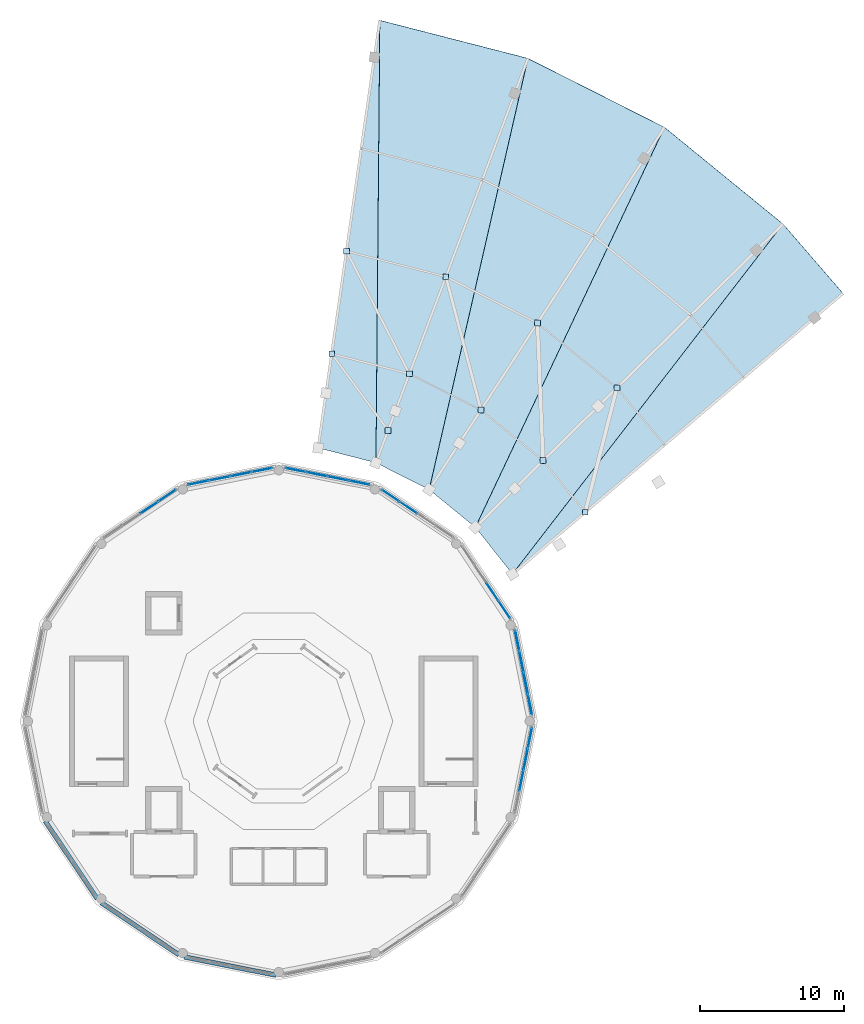
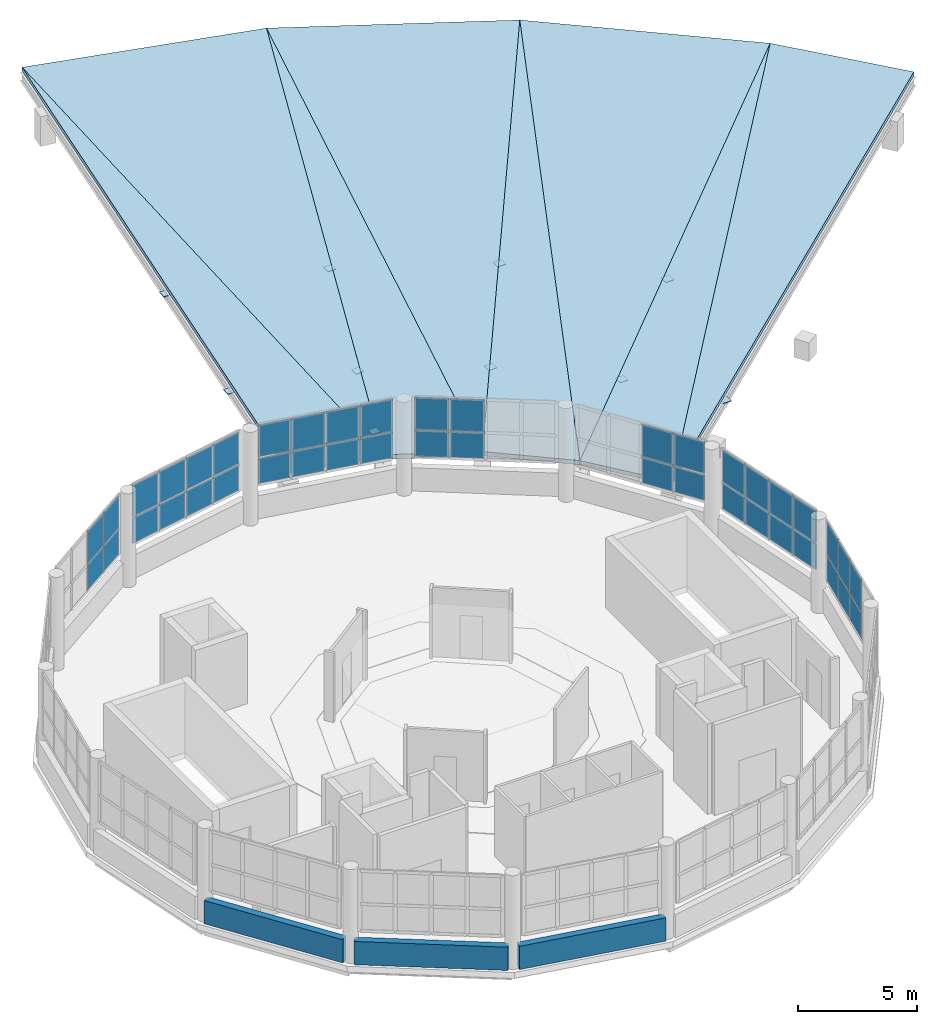
# One storey, part 9 of 12: 52 plates, 8 slabs, 3 walls, 7 elements without a shape of their own.
"""IFC4 building model written with IfcOpenShell, lengths in metres."""

from ifc_helpers import new_model, si_unit, direction, frame, frame_2d, origin, origin_2d, place, context, subcontext, project, spatial, polyline, rectangle, outline, extrude, material, layer, layer_set, type_object, element, aggregate, save


model = new_model("IFC4")

# Units and contexts
model_context = context("Model", 3, precision=1e-05, world=origin(), true_north=direction((0.0, 1.0)))
body_context = subcontext(model_context, "Body", "Model", "MODEL_VIEW")
ifc_project = project(units=[si_unit("LENGTHUNIT", "METRE"), si_unit("AREAUNIT", "SQUARE_METRE"), si_unit("VOLUMEUNIT", "CUBIC_METRE"), si_unit("PLANEANGLEUNIT", "RADIAN"), si_unit("MASSUNIT", "GRAM", prefix="KILO")], contexts=[model_context])

# Site, building, storey
site_placement = place(None, origin())
site = spatial("IfcSite", under=ifc_project, at=site_placement, CompositionType="ELEMENT")
building_placement = place(site_placement, origin())
building = spatial("IfcBuilding", under=site, at=building_placement, Name="Soyqirgoq Riverine Aquarium", CompositionType="ELEMENT")
storey_placement = place(building_placement, frame((0.0, 0.0, 24.60009765625)))
storey = spatial("IfcBuildingStorey", under=building, at=storey_placement, Name="L06", CompositionType="ELEMENT", Elevation=24.60009765625)

# Curtain wall, plates
ifc_material_1 = material(Name="Anodised aluminium acoustic solar-control clerestory glazing", Category="aluminium")
curtain_wall_type = type_object("IfcCurtainWallType", Name="CW_Clerestory_Ring", PredefinedType="NOTDEFINED", material=ifc_material_1)
curtain_wall_1_placement = place(storey_placement, origin())
curtain_wall_1 = element("IfcCurtainWall", 1, at=curtain_wall_1_placement, inside=storey, type_object=curtain_wall_type, Name="V1 L06 Curtain Wall 008", PredefinedType="NOTDEFINED")
ifc_material_2 = material(Name="Triple insulated laminated low-E glass", Category="glass")
ifc_layer_1 = layer(ifc_material_2, 0.0458984375)
ifc_layer_set_1 = layer_set([ifc_layer_1], Name="Triple insulated laminated low-E glass")
plate_type_1 = type_object("IfcPlateType", Name="CWGlazedPanel_46", PredefinedType="CURTAIN_PANEL", material=ifc_layer_set_1)
plate_1_placement = place(storey_placement, frame((71.68896484375, 64.7666015625, 1.69482421875), z_axis=(0.0, 0.0, 1.0), x_axis=(-0.555578639957, 0.831463994905, 0.0)))
plate_1 = element("IfcPlate", 2, at=plate_1_placement, type_object=plate_type_1, Name="CW-02 panel 1.1", PredefinedType="CURTAIN_PANEL", context=body_context, shape_type="SweptSolid", body=[
    extrude(rectangle(XDim=1.419189453125, YDim=0.0458984375, at=origin_2d()), origin(), (0.0, 0.0, 1.0), 1.300537109375),
])
plate_2_placement = place(storey_placement, frame((71.68896484375, 64.7666015625, 3.0703125), z_axis=(0.0, 0.0, 1.0), x_axis=(-0.555578639957, 0.831463994905, 0.0)))
plate_2 = element("IfcPlate", 3, at=plate_2_placement, type_object=plate_type_1, Name="CW-02 panel 1.2", PredefinedType="CURTAIN_PANEL", context=body_context, shape_type="SweptSolid", body=[
    extrude(rectangle(XDim=1.419189453125, YDim=0.0458984375, at=origin_2d()), origin(), (0.0, 0.0, 1.0), 1.614501953125),
])
plate_3_placement = place(storey_placement, frame((70.85546875, 66.01416015625, 1.69482421875), z_axis=(0.0, 0.0, 1.0), x_axis=(-0.555578639957, 0.831463994905, 0.0)))
plate_3 = element("IfcPlate", 4, at=plate_3_placement, type_object=plate_type_1, Name="CW-02 panel 2.1", PredefinedType="CURTAIN_PANEL", context=body_context, shape_type="SweptSolid", body=[
    extrude(rectangle(XDim=1.45166015625, YDim=0.0458984375, at=origin_2d()), origin(), (0.0, 0.0, 1.0), 1.300537109375),
])
plate_4_placement = place(storey_placement, frame((70.85546875, 66.01416015625, 3.0703125), z_axis=(0.0, 0.0, 1.0), x_axis=(-0.555578639957, 0.831463994905, 0.0)))
plate_4 = element("IfcPlate", 5, at=plate_4_placement, type_object=plate_type_1, Name="CW-02 panel 2.2", PredefinedType="CURTAIN_PANEL", context=body_context, shape_type="SweptSolid", body=[
    extrude(rectangle(XDim=1.45166015625, YDim=0.0458984375, at=origin_2d()), origin(), (0.0, 0.0, 1.0), 1.614501953125),
])
aggregate(curtain_wall_1, [plate_1, plate_2, plate_3, plate_4])

curtain_wall_2_placement = place(storey_placement, origin())
curtain_wall_2 = element("IfcCurtainWall", 6, at=curtain_wall_2_placement, inside=storey, type_object=curtain_wall_type, Name="V1 L06 Curtain Wall 010", PredefinedType="NOTDEFINED")
plate_5_placement = place(storey_placement, frame((65.01416015625, 71.85546875, 1.69482421875), z_axis=(0.0, 0.0, 1.0), x_axis=(-0.831463994905, 0.555578639957, 0.0)))
plate_5 = element("IfcPlate", 7, at=plate_5_placement, type_object=plate_type_1, Name="CW-02 panel 3.1", PredefinedType="CURTAIN_PANEL", context=body_context, shape_type="SweptSolid", body=[
    extrude(rectangle(XDim=1.45166015625, YDim=0.0458984375, at=origin_2d()), origin(), (0.0, 0.0, 1.0), 1.300537109375),
])
plate_6_placement = place(storey_placement, frame((65.01416015625, 71.85546875, 3.0703125), z_axis=(0.0, 0.0, 1.0), x_axis=(-0.831463994905, 0.555578639957, 0.0)))
plate_6 = element("IfcPlate", 8, at=plate_6_placement, type_object=plate_type_1, Name="CW-02 panel 3.2", PredefinedType="CURTAIN_PANEL", context=body_context, shape_type="SweptSolid", body=[
    extrude(rectangle(XDim=1.45166015625, YDim=0.0458984375, at=origin_2d()), origin(), (0.0, 0.0, 1.0), 1.614501953125),
])
plate_7_placement = place(storey_placement, frame((63.7666015625, 72.68896484375, 1.69482421875), z_axis=(0.0, 0.0, 1.0), x_axis=(-0.831463994905, 0.555578639957, 0.0)))
plate_7 = element("IfcPlate", 9, at=plate_7_placement, type_object=plate_type_1, Name="CW-02 panel 4.1", PredefinedType="CURTAIN_PANEL", context=body_context, shape_type="SweptSolid", body=[
    extrude(rectangle(XDim=1.419189453125, YDim=0.0458984375, at=origin_2d()), origin(), (0.0, 0.0, 1.0), 1.300537109375),
])
plate_8_placement = place(storey_placement, frame((63.7666015625, 72.68896484375, 3.0703125), z_axis=(0.0, 0.0, 1.0), x_axis=(-0.831463994905, 0.555578639957, 0.0)))
plate_8 = element("IfcPlate", 10, at=plate_8_placement, type_object=plate_type_1, Name="CW-02 panel 4.2", PredefinedType="CURTAIN_PANEL", context=body_context, shape_type="SweptSolid", body=[
    extrude(rectangle(XDim=1.419189453125, YDim=0.0458984375, at=origin_2d()), origin(), (0.0, 0.0, 1.0), 1.614501953125),
])
aggregate(curtain_wall_2, [plate_5, plate_6, plate_7, plate_8])

curtain_wall_3_placement = place(storey_placement, origin())
curtain_wall_3 = element("IfcCurtainWall", 11, at=curtain_wall_3_placement, inside=storey, type_object=curtain_wall_type, Name="V1 L06 Curtain Wall 017", PredefinedType="NOTDEFINED")
plate_9_placement = place(storey_placement, frame((61.60205078125, 73.585693359375, 1.69482421875), z_axis=(0.0, 0.0, 1.0), x_axis=(-0.980784299821, 0.19509525167, 0.0)))
plate_9 = element("IfcPlate", 12, at=plate_9_placement, type_object=plate_type_1, Name="CW-02 panel 1.1", PredefinedType="CURTAIN_PANEL", context=body_context, shape_type="SweptSolid", body=[
    extrude(rectangle(XDim=1.4189453125, YDim=0.0458984375, at=origin_2d()), origin(), (0.0, 0.0, 1.0), 1.300537109375),
])
plate_10_placement = place(storey_placement, frame((61.60205078125, 73.585693359375, 3.0703125), z_axis=(0.0, 0.0, 1.0), x_axis=(-0.980784299821, 0.19509525167, 0.0)))
plate_10 = element("IfcPlate", 13, at=plate_10_placement, type_object=plate_type_1, Name="CW-02 panel 1.2", PredefinedType="CURTAIN_PANEL", context=body_context, shape_type="SweptSolid", body=[
    extrude(rectangle(XDim=1.4189453125, YDim=0.0458984375, at=origin_2d()), origin(), (0.0, 0.0, 1.0), 1.614501953125),
])
plate_11_placement = place(storey_placement, frame((60.13037109375, 73.87841796875, 1.69482421875), z_axis=(0.0, 0.0, 1.0), x_axis=(-0.980784299821, 0.19509525167, 0.0)))
plate_11 = element("IfcPlate", 14, at=plate_11_placement, type_object=plate_type_1, Name="CW-02 panel 2.1", PredefinedType="CURTAIN_PANEL", context=body_context, shape_type="SweptSolid", body=[
    extrude(rectangle(XDim=1.45166015625, YDim=0.0458984375, at=origin_2d()), origin(), (0.0, 0.0, 1.0), 1.300537109375),
])
plate_12_placement = place(storey_placement, frame((60.13037109375, 73.87841796875, 3.0703125), z_axis=(0.0, 0.0, 1.0), x_axis=(-0.980784299821, 0.19509525167, 0.0)))
plate_12 = element("IfcPlate", 15, at=plate_12_placement, type_object=plate_type_1, Name="CW-02 panel 2.2", PredefinedType="CURTAIN_PANEL", context=body_context, shape_type="SweptSolid", body=[
    extrude(rectangle(XDim=1.45166015625, YDim=0.0458984375, at=origin_2d()), origin(), (0.0, 0.0, 1.0), 1.614501953125),
])
plate_13_placement = place(storey_placement, frame((58.64306640625, 74.17431640625, 1.69482421875), z_axis=(0.0, 0.0, 1.0), x_axis=(-0.980784299821, 0.19509525167, 0.0)))
plate_13 = element("IfcPlate", 16, at=plate_13_placement, type_object=plate_type_1, Name="CW-02 panel 3.1", PredefinedType="CURTAIN_PANEL", context=body_context, shape_type="SweptSolid", body=[
    extrude(rectangle(XDim=1.45166015625, YDim=0.0458984375, at=origin_2d()), origin(), (0.0, 0.0, 1.0), 1.300537109375),
])
plate_14_placement = place(storey_placement, frame((58.64306640625, 74.17431640625, 3.0703125), z_axis=(0.0, 0.0, 1.0), x_axis=(-0.980784299821, 0.19509525167, 0.0)))
plate_14 = element("IfcPlate", 17, at=plate_14_placement, type_object=plate_type_1, Name="CW-02 panel 3.2", PredefinedType="CURTAIN_PANEL", context=body_context, shape_type="SweptSolid", body=[
    extrude(rectangle(XDim=1.45166015625, YDim=0.0458984375, at=origin_2d()), origin(), (0.0, 0.0, 1.0), 1.614501953125),
])
plate_15_placement = place(storey_placement, frame((57.171630859375, 74.467041015625, 1.69482421875), z_axis=(0.0, 0.0, 1.0), x_axis=(-0.980784299821, 0.19509525167, 0.0)))
plate_15 = element("IfcPlate", 18, at=plate_15_placement, type_object=plate_type_1, Name="CW-02 panel 4.1", PredefinedType="CURTAIN_PANEL", context=body_context, shape_type="SweptSolid", body=[
    extrude(rectangle(XDim=1.4189453125, YDim=0.0458984375, at=origin_2d()), origin(), (0.0, 0.0, 1.0), 1.300537109375),
])
plate_16_placement = place(storey_placement, frame((57.171630859375, 74.467041015625, 3.0703125), z_axis=(0.0, 0.0, 1.0), x_axis=(-0.980784299821, 0.19509525167, 0.0)))
plate_16 = element("IfcPlate", 19, at=plate_16_placement, type_object=plate_type_1, Name="CW-02 panel 4.2", PredefinedType="CURTAIN_PANEL", context=body_context, shape_type="SweptSolid", body=[
    extrude(rectangle(XDim=1.4189453125, YDim=0.0458984375, at=origin_2d()), origin(), (0.0, 0.0, 1.0), 1.614501953125),
])
aggregate(curtain_wall_3, [plate_9, plate_10, plate_11, plate_12, plate_13, plate_14, plate_15, plate_16])

curtain_wall_4_placement = place(storey_placement, origin())
curtain_wall_4 = element("IfcCurtainWall", 20, at=curtain_wall_4_placement, inside=storey, type_object=curtain_wall_type, Name="V1 L06 Curtain Wall 019", PredefinedType="NOTDEFINED")
plate_17_placement = place(storey_placement, frame((54.828369140625, 74.467041015625, 1.69482421875), z_axis=(0.0, 0.0, 1.0), x_axis=(-0.980784299821, -0.19509525167, 0.0)))
plate_17 = element("IfcPlate", 21, at=plate_17_placement, type_object=plate_type_1, Name="CW-02 panel 1.1", PredefinedType="CURTAIN_PANEL", context=body_context, shape_type="SweptSolid", body=[
    extrude(rectangle(XDim=1.4189453125, YDim=0.0458984375, at=origin_2d()), origin(), (0.0, 0.0, 1.0), 1.300537109375),
])
plate_18_placement = place(storey_placement, frame((54.828369140625, 74.467041015625, 3.0703125), z_axis=(0.0, 0.0, 1.0), x_axis=(-0.980784299821, -0.19509525167, 0.0)))
plate_18 = element("IfcPlate", 22, at=plate_18_placement, type_object=plate_type_1, Name="CW-02 panel 1.2", PredefinedType="CURTAIN_PANEL", context=body_context, shape_type="SweptSolid", body=[
    extrude(rectangle(XDim=1.4189453125, YDim=0.0458984375, at=origin_2d()), origin(), (0.0, 0.0, 1.0), 1.614501953125),
])
plate_19_placement = place(storey_placement, frame((53.35693359375, 74.17431640625, 1.69482421875), z_axis=(0.0, 0.0, 1.0), x_axis=(-0.980784299821, -0.19509525167, 0.0)))
plate_19 = element("IfcPlate", 23, at=plate_19_placement, type_object=plate_type_1, Name="CW-02 panel 2.1", PredefinedType="CURTAIN_PANEL", context=body_context, shape_type="SweptSolid", body=[
    extrude(rectangle(XDim=1.45166015625, YDim=0.0458984375, at=origin_2d()), origin(), (0.0, 0.0, 1.0), 1.300537109375),
])
plate_20_placement = place(storey_placement, frame((53.35693359375, 74.17431640625, 3.0703125), z_axis=(0.0, 0.0, 1.0), x_axis=(-0.980784299821, -0.19509525167, 0.0)))
plate_20 = element("IfcPlate", 24, at=plate_20_placement, type_object=plate_type_1, Name="CW-02 panel 2.2", PredefinedType="CURTAIN_PANEL", context=body_context, shape_type="SweptSolid", body=[
    extrude(rectangle(XDim=1.45166015625, YDim=0.0458984375, at=origin_2d()), origin(), (0.0, 0.0, 1.0), 1.614501953125),
])
plate_21_placement = place(storey_placement, frame((51.86962890625, 73.87841796875, 1.69482421875), z_axis=(0.0, 0.0, 1.0), x_axis=(-0.980784299821, -0.19509525167, 0.0)))
plate_21 = element("IfcPlate", 25, at=plate_21_placement, type_object=plate_type_1, Name="CW-02 panel 3.1", PredefinedType="CURTAIN_PANEL", context=body_context, shape_type="SweptSolid", body=[
    extrude(rectangle(XDim=1.45166015625, YDim=0.0458984375, at=origin_2d()), origin(), (0.0, 0.0, 1.0), 1.300537109375),
])
plate_22_placement = place(storey_placement, frame((51.86962890625, 73.87841796875, 3.0703125), z_axis=(0.0, 0.0, 1.0), x_axis=(-0.980784299821, -0.19509525167, 0.0)))
plate_22 = element("IfcPlate", 26, at=plate_22_placement, type_object=plate_type_1, Name="CW-02 panel 3.2", PredefinedType="CURTAIN_PANEL", context=body_context, shape_type="SweptSolid", body=[
    extrude(rectangle(XDim=1.45166015625, YDim=0.0458984375, at=origin_2d()), origin(), (0.0, 0.0, 1.0), 1.614501953125),
])
plate_23_placement = place(storey_placement, frame((50.39794921875, 73.585693359375, 1.69482421875), z_axis=(0.0, 0.0, 1.0), x_axis=(-0.980784299821, -0.19509525167, 0.0)))
plate_23 = element("IfcPlate", 27, at=plate_23_placement, type_object=plate_type_1, Name="CW-02 panel 4.1", PredefinedType="CURTAIN_PANEL", context=body_context, shape_type="SweptSolid", body=[
    extrude(rectangle(XDim=1.4189453125, YDim=0.0458984375, at=origin_2d()), origin(), (0.0, 0.0, 1.0), 1.300537109375),
])
plate_24_placement = place(storey_placement, frame((50.39794921875, 73.585693359375, 3.0703125), z_axis=(0.0, 0.0, 1.0), x_axis=(-0.980784299821, -0.19509525167, 0.0)))
plate_24 = element("IfcPlate", 28, at=plate_24_placement, type_object=plate_type_1, Name="CW-02 panel 4.2", PredefinedType="CURTAIN_PANEL", context=body_context, shape_type="SweptSolid", body=[
    extrude(rectangle(XDim=1.4189453125, YDim=0.0458984375, at=origin_2d()), origin(), (0.0, 0.0, 1.0), 1.614501953125),
])
aggregate(curtain_wall_4, [plate_17, plate_18, plate_19, plate_20, plate_21, plate_22, plate_23, plate_24])

curtain_wall_5_placement = place(storey_placement, origin())
curtain_wall_5 = element("IfcCurtainWall", 29, at=curtain_wall_5_placement, inside=storey, type_object=curtain_wall_type, Name="V1 L06 Curtain Wall 021", PredefinedType="NOTDEFINED")
plate_25_placement = place(storey_placement, frame((48.2333984375, 72.68896484375, 1.69482421875), z_axis=(0.0, 0.0, 1.0), x_axis=(-0.831463994905, -0.555578639957, 0.0)))
plate_25 = element("IfcPlate", 30, at=plate_25_placement, type_object=plate_type_1, Name="CW-02 panel 1.1", PredefinedType="CURTAIN_PANEL", context=body_context, shape_type="SweptSolid", body=[
    extrude(rectangle(XDim=1.419189453125, YDim=0.0458984375, at=origin_2d()), origin(), (0.0, 0.0, 1.0), 1.300537109375),
])
plate_26_placement = place(storey_placement, frame((48.2333984375, 72.68896484375, 3.0703125), z_axis=(0.0, 0.0, 1.0), x_axis=(-0.831463994905, -0.555578639957, 0.0)))
plate_26 = element("IfcPlate", 31, at=plate_26_placement, type_object=plate_type_1, Name="CW-02 panel 1.2", PredefinedType="CURTAIN_PANEL", context=body_context, shape_type="SweptSolid", body=[
    extrude(rectangle(XDim=1.419189453125, YDim=0.0458984375, at=origin_2d()), origin(), (0.0, 0.0, 1.0), 1.614501953125),
])
plate_27_placement = place(storey_placement, frame((46.98583984375, 71.85546875, 1.69482421875), z_axis=(0.0, 0.0, 1.0), x_axis=(-0.831463994905, -0.555578639957, 0.0)))
plate_27 = element("IfcPlate", 32, at=plate_27_placement, type_object=plate_type_1, Name="CW-02 panel 2.1", PredefinedType="CURTAIN_PANEL", context=body_context, shape_type="SweptSolid", body=[
    extrude(rectangle(XDim=1.45166015625, YDim=0.0458984375, at=origin_2d()), origin(), (0.0, 0.0, 1.0), 1.300537109375),
])
plate_28_placement = place(storey_placement, frame((46.98583984375, 71.85546875, 3.0703125), z_axis=(0.0, 0.0, 1.0), x_axis=(-0.831463994905, -0.555578639957, 0.0)))
plate_28 = element("IfcPlate", 33, at=plate_28_placement, type_object=plate_type_1, Name="CW-02 panel 2.2", PredefinedType="CURTAIN_PANEL", context=body_context, shape_type="SweptSolid", body=[
    extrude(rectangle(XDim=1.45166015625, YDim=0.0458984375, at=origin_2d()), origin(), (0.0, 0.0, 1.0), 1.614501953125),
])
aggregate(curtain_wall_5, [plate_25, plate_26, plate_27, plate_28])

curtain_wall_6_placement = place(storey_placement, origin())
curtain_wall_6 = element("IfcCurtainWall", 34, at=curtain_wall_6_placement, inside=storey, type_object=curtain_wall_type, Name="V1 L06 Curtain Wall 077", PredefinedType="NOTDEFINED")
plate_29_placement = place(storey_placement, frame((72.87841796875, 52.86962890625, 1.69482421875), z_axis=(0.0, 0.0, 1.0), x_axis=(0.19509525167, 0.980784299821, 0.0)))
plate_29 = element("IfcPlate", 35, at=plate_29_placement, type_object=plate_type_1, Name="CW-02 panel 2.1", PredefinedType="CURTAIN_PANEL", context=body_context, shape_type="SweptSolid", body=[
    extrude(rectangle(XDim=1.45166015625, YDim=0.0458984375, at=origin_2d()), origin(), (0.0, 0.0, 1.0), 1.300537109375),
])
plate_30_placement = place(storey_placement, frame((72.87841796875, 52.86962890625, 3.0703125), z_axis=(0.0, 0.0, 1.0), x_axis=(0.19509525167, 0.980784299821, 0.0)))
plate_30 = element("IfcPlate", 36, at=plate_30_placement, type_object=plate_type_1, Name="CW-02 panel 2.2", PredefinedType="CURTAIN_PANEL", context=body_context, shape_type="SweptSolid", body=[
    extrude(rectangle(XDim=1.45166015625, YDim=0.0458984375, at=origin_2d()), origin(), (0.0, 0.0, 1.0), 1.614501953125),
])
plate_31_placement = place(storey_placement, frame((73.17431640625, 54.35693359375, 1.69482421875), z_axis=(0.0, 0.0, 1.0), x_axis=(0.19509525167, 0.980784299821, 0.0)))
plate_31 = element("IfcPlate", 37, at=plate_31_placement, type_object=plate_type_1, Name="CW-02 panel 3.1", PredefinedType="CURTAIN_PANEL", context=body_context, shape_type="SweptSolid", body=[
    extrude(rectangle(XDim=1.45166015625, YDim=0.0458984375, at=origin_2d()), origin(), (0.0, 0.0, 1.0), 1.300537109375),
])
plate_32_placement = place(storey_placement, frame((73.17431640625, 54.35693359375, 3.0703125), z_axis=(0.0, 0.0, 1.0), x_axis=(0.19509525167, 0.980784299821, 0.0)))
plate_32 = element("IfcPlate", 38, at=plate_32_placement, type_object=plate_type_1, Name="CW-02 panel 3.2", PredefinedType="CURTAIN_PANEL", context=body_context, shape_type="SweptSolid", body=[
    extrude(rectangle(XDim=1.45166015625, YDim=0.0458984375, at=origin_2d()), origin(), (0.0, 0.0, 1.0), 1.614501953125),
])
plate_33_placement = place(storey_placement, frame((73.467041015625, 55.828369140625, 1.69482421875), z_axis=(0.0, 0.0, 1.0), x_axis=(0.19509525167, 0.980784299821, 0.0)))
plate_33 = element("IfcPlate", 39, at=plate_33_placement, type_object=plate_type_1, Name="CW-02 panel 4.1", PredefinedType="CURTAIN_PANEL", context=body_context, shape_type="SweptSolid", body=[
    extrude(rectangle(XDim=1.4189453125, YDim=0.0458984375, at=origin_2d()), origin(), (0.0, 0.0, 1.0), 1.300537109375),
])
plate_34_placement = place(storey_placement, frame((73.467041015625, 55.828369140625, 3.0703125), z_axis=(0.0, 0.0, 1.0), x_axis=(0.19509525167, 0.980784299821, 0.0)))
plate_34 = element("IfcPlate", 40, at=plate_34_placement, type_object=plate_type_1, Name="CW-02 panel 4.2", PredefinedType="CURTAIN_PANEL", context=body_context, shape_type="SweptSolid", body=[
    extrude(rectangle(XDim=1.4189453125, YDim=0.0458984375, at=origin_2d()), origin(), (0.0, 0.0, 1.0), 1.614501953125),
])
aggregate(curtain_wall_6, [plate_29, plate_30, plate_31, plate_32, plate_33, plate_34])

curtain_wall_7_placement = place(storey_placement, origin())
curtain_wall_7 = element("IfcCurtainWall", 41, at=curtain_wall_7_placement, inside=storey, type_object=curtain_wall_type, Name="V1 L06 Curtain Wall 006", PredefinedType="NOTDEFINED")
ifc_material_3 = material(Name="Insulated shadow-box aluminium spandrel panel", Category="aluminium")
ifc_layer_2 = layer(ifc_material_3, 0.06005859375)
ifc_layer_set_2 = layer_set([ifc_layer_2], Name="Insulated shadow-box aluminium spandrel panel")
plate_type_2 = type_object("IfcPlateType", Name="CWSpandrelPanel_60", PredefinedType="CURTAIN_PANEL", material=ifc_layer_set_2)
plate_35_placement = place(storey_placement, frame((73.467041015625, 58.171630859375, 1.69482421875), z_axis=(0.0, 0.0, 1.0), x_axis=(-0.19509525167, 0.980784299821, 0.0)))
plate_35 = element("IfcPlate", 42, at=plate_35_placement, type_object=plate_type_2, Name="CW-02 panel 1.1", PredefinedType="CURTAIN_PANEL", context=body_context, shape_type="SweptSolid", body=[
    extrude(rectangle(XDim=1.4189453125, YDim=0.06005859375, at=origin_2d()), origin(), (0.0, 0.0, 1.0), 1.300537109375),
])
plate_36_placement = place(storey_placement, frame((73.467041015625, 58.171630859375, 3.0703125), z_axis=(0.0, 0.0, 1.0), x_axis=(-0.19509525167, 0.980784299821, 0.0)))
plate_36 = element("IfcPlate", 43, at=plate_36_placement, type_object=plate_type_2, Name="CW-02 panel 1.2", PredefinedType="CURTAIN_PANEL", context=body_context, shape_type="SweptSolid", body=[
    extrude(rectangle(XDim=1.4189453125, YDim=0.06005859375, at=origin_2d()), origin(), (0.0, 0.0, 1.0), 1.614501953125),
])
plate_37_placement = place(storey_placement, frame((73.17431640625, 59.64306640625, 1.69482421875), z_axis=(0.0, 0.0, 1.0), x_axis=(-0.19509525167, 0.980784299821, 0.0)))
plate_37 = element("IfcPlate", 44, at=plate_37_placement, type_object=plate_type_2, Name="CW-02 panel 2.1", PredefinedType="CURTAIN_PANEL", context=body_context, shape_type="SweptSolid", body=[
    extrude(rectangle(XDim=1.45166015625, YDim=0.06005859375, at=origin_2d()), origin(), (0.0, 0.0, 1.0), 1.300537109375),
])
plate_38_placement = place(storey_placement, frame((73.17431640625, 59.64306640625, 3.0703125), z_axis=(0.0, 0.0, 1.0), x_axis=(-0.19509525167, 0.980784299821, 0.0)))
plate_38 = element("IfcPlate", 45, at=plate_38_placement, type_object=plate_type_2, Name="CW-02 panel 2.2", PredefinedType="CURTAIN_PANEL", context=body_context, shape_type="SweptSolid", body=[
    extrude(rectangle(XDim=1.45166015625, YDim=0.06005859375, at=origin_2d()), origin(), (0.0, 0.0, 1.0), 1.614501953125),
])
plate_39_placement = place(storey_placement, frame((72.87841796875, 61.13037109375, 1.69482421875), z_axis=(0.0, 0.0, 1.0), x_axis=(-0.19509525167, 0.980784299821, 0.0)))
plate_39 = element("IfcPlate", 46, at=plate_39_placement, type_object=plate_type_2, Name="CW-02 panel 3.1", PredefinedType="CURTAIN_PANEL", context=body_context, shape_type="SweptSolid", body=[
    extrude(rectangle(XDim=1.45166015625, YDim=0.06005859375, at=origin_2d()), origin(), (0.0, 0.0, 1.0), 1.300537109375),
])
plate_40_placement = place(storey_placement, frame((72.87841796875, 61.13037109375, 3.0703125), z_axis=(0.0, 0.0, 1.0), x_axis=(-0.19509525167, 0.980784299821, 0.0)))
plate_40 = element("IfcPlate", 47, at=plate_40_placement, type_object=plate_type_2, Name="CW-02 panel 3.2", PredefinedType="CURTAIN_PANEL", context=body_context, shape_type="SweptSolid", body=[
    extrude(rectangle(XDim=1.45166015625, YDim=0.06005859375, at=origin_2d()), origin(), (0.0, 0.0, 1.0), 1.614501953125),
])
plate_41_placement = place(storey_placement, frame((72.585693359375, 62.60205078125, 1.69482421875), z_axis=(0.0, 0.0, 1.0), x_axis=(-0.19509525167, 0.980784299821, 0.0)))
plate_41 = element("IfcPlate", 48, at=plate_41_placement, type_object=plate_type_2, Name="CW-02 panel 4.1", PredefinedType="CURTAIN_PANEL", context=body_context, shape_type="SweptSolid", body=[
    extrude(rectangle(XDim=1.4189453125, YDim=0.06005859375, at=origin_2d()), origin(), (0.0, 0.0, 1.0), 1.300537109375),
])
plate_42_placement = place(storey_placement, frame((72.585693359375, 62.60205078125, 3.0703125), z_axis=(0.0, 0.0, 1.0), x_axis=(-0.19509525167, 0.980784299821, 0.0)))
plate_42 = element("IfcPlate", 49, at=plate_42_placement, type_object=plate_type_2, Name="CW-02 panel 4.2", PredefinedType="CURTAIN_PANEL", context=body_context, shape_type="SweptSolid", body=[
    extrude(rectangle(XDim=1.4189453125, YDim=0.06005859375, at=origin_2d()), origin(), (0.0, 0.0, 1.0), 1.614501953125),
])
aggregate(curtain_wall_7, [plate_35, plate_36, plate_37, plate_38, plate_39, plate_40, plate_41, plate_42])

# Plates
ifc_material_4 = material(Name="Structural steel S355", Category="steel")
ifc_layer_3 = layer(ifc_material_4, 0.031982421875)
ifc_layer_set_3 = layer_set([ifc_layer_3], Name="Structural steel S355")
plate_type_3 = type_object("IfcPlateType", Name="NodeGussetPlate_32_S355", PredefinedType="SHEET", material=ifc_layer_set_3)
for number, where, z_axis, x_axis, name in (
    (50, (77.304931640625, 71.527099609375, 0.53271484375), (0.0, 0.0, 1.0), (1.0, 0.0, 0.0), "V5 Lateral Wind Brace End Gusset 141"),
    (51, (79.51318359375, 80.187255859375, 0.69677734375), (0.0, 0.0, 1.0), (1.0, 0.0, 0.0), "V5 Lateral Wind Brace End Gusset 142"),
    (52, (74.378173828125, 75.123291015625, 0.4375), (0.0, 0.0, 1.0), (1.0, 0.0, 0.0), "V5 Lateral Wind Brace End Gusset 143"),
    (53, (73.985595703125, 84.6953125, 0.70166015625), (0.0, 0.0, 1.0), (1.0, 0.0, 0.0), "V5 Lateral Wind Brace End Gusset 144"),
    (54, (70.0576171875, 78.64697265625, 0.4423828125), (0.0, 0.0, 1.0), (1.0, 0.0, 0.0), "V5 Lateral Wind Brace End Gusset 145"),
    (55, (67.618896484375, 87.91162109375, 0.72705078125), (0.0, 0.0, 1.0), (1.0, 0.0, 0.0), "V5 Lateral Wind Brace End Gusset 146"),
    (56, (65.081298828125, 81.16064453125, 0.46728515625), (0.0, 0.0, 1.0), (1.0, 0.0, 0.0), "V5 Lateral Wind Brace End Gusset 147"),
    (57, (60.7099609375, 89.685302734375, 0.7919921875), (0.0, 0.0, 1.0), (1.0, 0.0, 0.0), "V5 Lateral Wind Brace End Gusset 148"),
    (58, (63.601318359375, 77.22265625, 0.27587890625), (0.0, 0.0, 1.0), (1.0, 0.0, 0.0), "V5 Lateral Sub-Rafter Brace End Gusset 155"),
    (59, (59.681396484375, 82.547119140625, 0.4921875), (0.0, 0.0, 1.0), (1.0, 0.0, 0.0), "V5 Lateral Sub-Rafter Brace End Gusset 156"),
):
    element("IfcPlate", number, at=place(storey_placement, frame(where, z_axis=z_axis, x_axis=x_axis)), inside=storey, type_object=plate_type_3, Name=name, PredefinedType="SHEET", context=body_context, shape_type="SweptSolid", body=[
        extrude(rectangle(XDim=0.39990234375, YDim=0.39990234375, at=origin_2d()), origin(), (0.0, 0.0, 1.0), 0.031982421875),
    ])

# Slabs
ifc_material_5 = material(Name="Concrete C35/45", Category="concrete")
ifc_layer_4 = layer(ifc_material_5, 0.199951171875)
ifc_layer_set_4 = layer_set([ifc_layer_4], Name="Concrete C35/45")
slab_type_1 = type_object("IfcSlabType", Name="PrairieRoof_200_C35", PredefinedType="ROOF", material=ifc_layer_set_4)
slab_1_placement = place(storey_placement, frame((72.246826171875, 67.231201171875, 0.75), z_axis=(-0.027074449832, -0.02346184372, 0.999358051979), x_axis=(0.761710419876, 0.646926486558, 0.035823975806)))
element("IfcSlab", 60, at=slab_1_placement, inside=storey, type_object=slab_type_1, Name="V5 Sloped Prairie Roof Panel 01A", PredefinedType="ROOF", context=body_context, shape_type="SweptSolid", body=[
    extrude(outline(polyline([(0.0, 0.0), (30.18366342059863, 3.210431052946827e-15), (30.127124453231946, 6.376113696296163), (0.0, 0.0)])), origin(), (0.0, 0.0, -1.0), 0.199951171875),
])
slab_2_placement = place(storey_placement, frame((72.246826171875, 67.231201171875, 0.75), z_axis=(-0.028353424075, -0.022472729674, 0.999345315576), x_axis=(0.611167065331, 0.790722017343, 0.035121354531)))
element("IfcSlab", 61, at=slab_2_placement, inside=storey, type_object=slab_type_1, Name="V5 Sloped Prairie Roof Panel 01B", PredefinedType="ROOF", context=body_context, shape_type="SweptSolid", body=[
    extrude(outline(polyline([(0.0, 0.0), (30.794454917868272, -2.078198724220215e-15), (0.9955243624407013, 4.025771346774349), (0.0, 0.0)])), origin(), (0.0, 0.0, -1.0), 0.199951171875),
])
slab_3_placement = place(storey_placement, frame((62.75537109375, 74.972412109375, 0.75), z_axis=(-0.008997350516, -0.035042836947, 0.999345309321), x_axis=(0.351610631418, 0.93545510781, 0.035968112898)))
element("IfcSlab", 62, at=slab_3_placement, inside=storey, type_object=slab_type_1, Name="V5 Sloped Prairie Roof Panel 04A", PredefinedType="ROOF", context=body_context, shape_type="SweptSolid", body=[
    extrude(outline(polyline([(0.0, 0.0), (30.069494382492802, 9.84455572616838e-16), (28.92135386976438, 10.57577155731852), (0.0, 0.0)])), origin(), (0.0, 0.0, -1.0), 0.199951171875),
])
slab_4_placement = place(storey_placement, frame((62.75537109375, 74.972412109375, 0.75), z_axis=(-0.008996594673, -0.035042843786, 0.999345315886), x_axis=(0.008736765567, 0.999344860665, 0.035121480454)))
element("IfcSlab", 63, at=slab_4_placement, inside=storey, type_object=slab_type_1, Name="V5 Sloped Prairie Roof Panel 04B", PredefinedType="ROOF", context=body_context, shape_type="SweptSolid", body=[
    extrude(outline(polyline([(0.0, 0.0), (30.794344508248955, -2.7755575615628914e-17), (0.9954801483351107, 4.0258595652958995), (0.0, 0.0)])), origin(), (0.0, 0.0, -1.0), 0.199951171875),
])
ifc_material_6 = material(Name="Concrete C35/45", Category="concrete")
ifc_layer_5 = layer(ifc_material_6, 0.219970703125)
ifc_layer_set_5 = layer_set([ifc_layer_5], Name="Concrete C35/45")
slab_type_2 = type_object("IfcSlabType", Name="PrairieRoof_220_C35", PredefinedType="ROOF", material=ifc_layer_set_5)
slab_5_placement = place(storey_placement, frame((69.6708984375, 70.481201171875, 0.75), z_axis=(-0.022866047563, -0.028037250012, 0.999345313933), x_axis=(0.711564427772, 0.701699631107, 0.035967941751)))
element("IfcSlab", 64, at=slab_5_placement, inside=storey, type_object=slab_type_2, Name="V5 Sloped Prairie Roof Panel 02A", PredefinedType="ROOF", context=body_context, shape_type="SweptSolid", body=[
    extrude(outline(polyline([(0.0, 0.0), (30.06963746345646, 1.2906342661267445e-15), (28.92137332978229, 10.575787155455858), (0.0, 0.0)])), origin(), (0.0, 0.0, -1.0), 0.219970703125),
])
slab_6_placement = place(storey_placement, frame((69.6708984375, 70.481201171875, 0.75), z_axis=(-0.022867544157, -0.028036541984, 0.999345299553), x_axis=(0.427110172554, 0.903517229501, 0.0351214535)))
element("IfcSlab", 65, at=slab_6_placement, inside=storey, type_object=slab_type_2, Name="V5 Sloped Prairie Roof Panel 02B", PredefinedType="ROOF", context=body_context, shape_type="SweptSolid", body=[
    extrude(outline(polyline([(0.0, 0.0), (30.79436814156361, 1.5248219353836134e-15), (0.9957485795057874, 4.026020293307982), (0.0, 0.0)])), origin(), (0.0, 0.0, -1.0), 0.219970703125),
])
ifc_material_7 = material(Name="Concrete C35/45", Category="concrete")
ifc_layer_6 = layer(ifc_material_7, 0.239990234375)
ifc_layer_set_6 = layer_set([ifc_layer_6], Name="Concrete C35/45")
slab_type_3 = type_object("IfcSlabType", Name="PrairieRoof_240_C35", PredefinedType="ROOF", material=ifc_layer_set_6)
slab_7_placement = place(storey_placement, frame((66.45703125, 73.1025390625, 0.75), z_axis=(-0.016313039358, -0.032293125656, 0.999345305078), x_axis=(0.54429005681, 0.838125657388, 0.035968270532)))
element("IfcSlab", 66, at=slab_7_placement, inside=storey, type_object=slab_type_3, Name="V5 Sloped Prairie Roof Panel 03A", PredefinedType="ROOF", context=body_context, shape_type="SweptSolid", body=[
    extrude(outline(polyline([(0.0, 0.0), (30.069362600600353, 1.6106907474444654e-15), (28.92131123614516, 10.575988484171724), (0.0, 0.0)])), origin(), (0.0, 0.0, -1.0), 0.239990234375),
])
slab_8_placement = place(storey_placement, frame((66.45703125, 73.1025390625, 0.75), z_axis=(-0.016312728853, -0.032293196876, 0.999345307846), x_axis=(0.223128180539, 0.974156198677, 0.035121441152)))
element("IfcSlab", 67, at=slab_8_placement, inside=storey, type_object=slab_type_3, Name="V5 Sloped Prairie Roof Panel 03B", PredefinedType="ROOF", context=body_context, shape_type="SweptSolid", body=[
    extrude(outline(polyline([(0.0, 0.0), (30.79437896817062, 8.465450562766819e-16), (0.9956037237139947, 4.025852251278629), (0.0, 0.0)])), origin(), (0.0, 0.0, -1.0), 0.239990234375),
])

# Walls
ifc_material_8 = material(Name="Insulated composite travertine rainscreen", Category="masonry")
ifc_layer_7 = layer(ifc_material_8, 0.320068359375)
ifc_layer_set_7 = layer_set([ifc_layer_7], Name="Insulated composite travertine rainscreen")
wall_type = type_object("IfcWallType", Name="CrownClerestoryWall_320", PredefinedType="SOLIDWALL", material=ifc_layer_set_7)
for number, where, z_axis, x_axis, name in (
    (68, (39.765380859375, 50.0498046875, 0.0), (0.0, 0.0, 1.0), (0.555551818823, -0.83148191598, 0.0), "V1 L06 Exterior Travertine Wall 0040"),
    (69, (43.660888671875, 44.365966796875, 0.0), (0.0, 0.0, 1.0), (0.83148191598, -0.555551818823, 0.0), "V1 L06 Exterior Travertine Wall 0041"),
):
    element("IfcWall", number, at=place(storey_placement, frame(where, z_axis=z_axis, x_axis=x_axis)), inside=storey, type_object=wall_type, Name=name, PredefinedType="SOLIDWALL", context=body_context, shape_type="SweptSolid", body=[
        extrude(rectangle(XDim=6.481201171875, YDim=0.320068359375, at=frame_2d((3.24072265625, 0.0))), origin(), (0.0, 0.0, 1.0), 1.18994140625),
    ])
wall_placement = place(storey_placement, frame((49.43505859375, 40.605712890625, 0.0), z_axis=(0.0, 0.0, 1.0), x_axis=(0.980791640162, -0.195058346626, 0.0)))
element("IfcWall", 70, at=wall_placement, inside=storey, type_object=wall_type, Name="V1 L06 Exterior Travertine Wall 0042", PredefinedType="SOLIDWALL", context=body_context, shape_type="SweptSolid", body=[
    extrude(rectangle(XDim=6.48095703125, YDim=0.320068359375, at=frame_2d((3.240478515625, 0.0))), origin(), (0.0, 0.0, 1.0), 1.18994140625),
])

save(model, "model.ifc")
